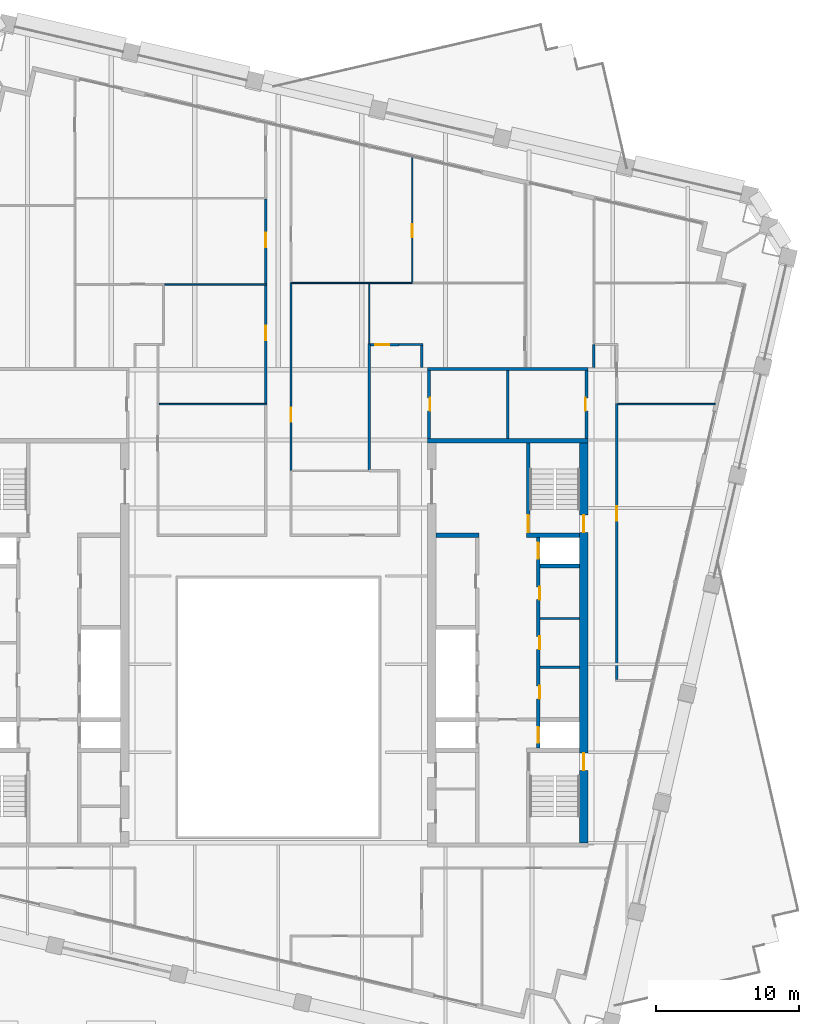
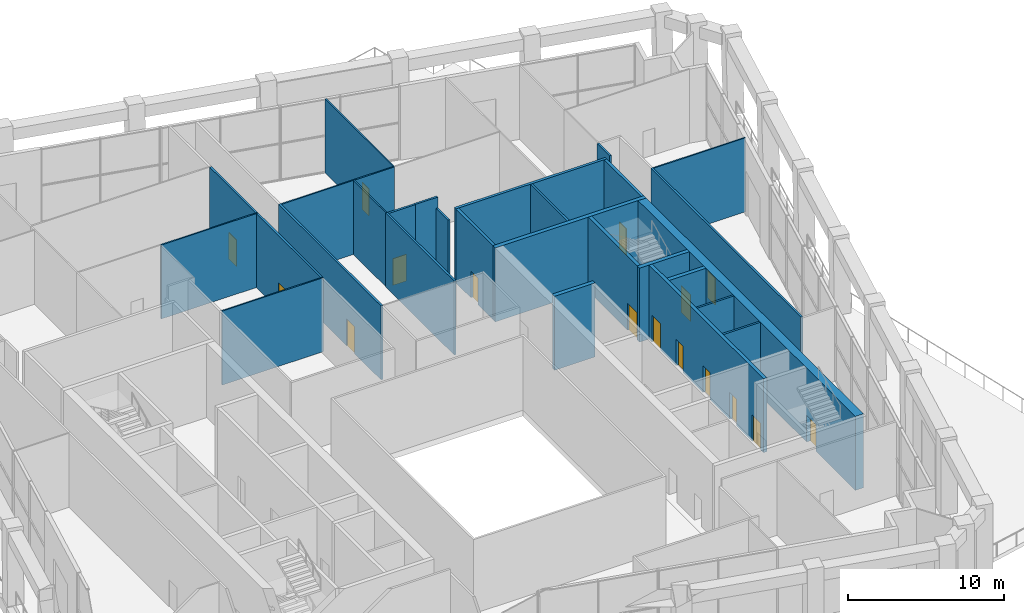
# One storey, part 15 of 21: 29 walls, 16 doors, 16 openings.
"""IFC4 building model written with IfcOpenShell, lengths in metres."""

from ifc_helpers import new_model, si_unit, direction, frame, frame_2d, origin, place, context, subcontext, project, spatial, rectangle, extrude, material, layer, layer_set, type_object, element, fill, save


model = new_model("IFC4")

# Units and contexts
model_context = context("Model", 3, precision=1e-05, world=origin(), true_north=direction((0.0, 1.0)))
body_context = subcontext(model_context, "Body", "Model", "MODEL_VIEW")
ifc_project = project(units=[si_unit("LENGTHUNIT", "METRE"), si_unit("AREAUNIT", "SQUARE_METRE"), si_unit("VOLUMEUNIT", "CUBIC_METRE"), si_unit("PLANEANGLEUNIT", "RADIAN"), si_unit("MASSUNIT", "GRAM", prefix="KILO")], contexts=[model_context])

# Site, building, storey
site_placement = place(None, origin())
site = spatial("IfcSite", under=ifc_project, at=site_placement, CompositionType="ELEMENT")
building_placement = place(site_placement, origin())
building = spatial("IfcBuilding", under=site, at=building_placement, Name="Ogive Exchange Tower", CompositionType="ELEMENT")
storey_placement = place(building_placement, frame((0.0, 0.0, 237.0)))
storey = spatial("IfcBuildingStorey", under=building, at=storey_placement, Name="L51", CompositionType="ELEMENT", Elevation=237.0)

# Walls
ifc_material_1 = material(Name="Gypsum board partition")
ifc_layer_1 = layer(ifc_material_1, 0.14990234375)
ifc_layer_set_1 = layer_set([ifc_layer_1], Name="Core room partition 150 gypsum")
wall_type_1 = type_object("IfcWallType", Name="Core room partition 150 gypsum", PredefinedType="PARTITIONING", material=ifc_layer_set_1)
for number, where, z_axis, x_axis, name in (
    (1, (18.25, 9.800048828125, 0.0), (0.0, 0.0, 1.0), (1.0, 0.0, 0.0), "E row A bay partition 1-1"),
    (2, (18.25, 13.199951171875, 0.0), (0.0, 0.0, 1.0), (1.0, 0.0, 0.0), "E row A bay partition 1-2"),
):
    element("IfcWall", number, at=place(storey_placement, frame(where, z_axis=z_axis, x_axis=x_axis)), inside=storey, type_object=wall_type_1, Name=name, PredefinedType="PARTITIONING", context=body_context, shape_type="SweptSolid", body=[
        extrude(rectangle(XDim=2.75, YDim=0.14990234375, at=frame_2d((1.375, 0.0))), origin(), (0.0, 0.0, 1.0), 5.800048828125),
    ])
wall_1_placement = place(storey_placement, frame((16.0, 25.75, 0.0), z_axis=(0.0, 0.0, 1.0), x_axis=(0.0, 1.0, 0.0)))
element("IfcWall", 3, at=wall_1_placement, inside=storey, type_object=wall_type_1, Name="E annex N column wall", PredefinedType="PARTITIONING", context=body_context, shape_type="SweptSolid", body=[
    extrude(rectangle(XDim=4.75, YDim=0.14990234375, at=frame_2d((2.375, 0.0))), origin(), (0.0, 0.0, 1.0), 5.800048828125),
])
ifc_layer_2 = layer(ifc_material_1, 0.300048828125)
ifc_layer_set_2 = layer_set([ifc_layer_2], Name="Core room partition 300 gypsum")
wall_type_2 = type_object("IfcWallType", Name="Core room partition 300 gypsum", PredefinedType="PARTITIONING", material=ifc_layer_set_2)
wall_2_placement = place(storey_placement, frame((11.0, 19.0, 0.0), z_axis=(0.0, 0.0, 1.0), x_axis=(1.0, 0.0, 0.0)))
element("IfcWall", 4, at=wall_2_placement, inside=storey, type_object=wall_type_2, Name="E row B room end wall 7", PredefinedType="PARTITIONING", context=body_context, shape_type="SweptSolid", body=[
    extrude(rectangle(XDim=3.0, YDim=0.300048828125, at=frame_2d((1.5, 0.0))), origin(), (0.0, 0.0, 1.0), 5.800048828125),
])

# Wall, opening, door
ifc_material_2 = material(Name="Fire partition EI 60 150")
ifc_layer_3 = layer(ifc_material_2, 0.14990234375)
ifc_layer_set_3 = layer_set([ifc_layer_3], Name="Fire partition EI 60 150")
wall_type_3 = type_object("IfcWallType", Name="Fire partition EI 60 150", PredefinedType="PARTITIONING", material=ifc_layer_set_3)
wall_3_placement = place(storey_placement, frame((-0.8798828125, 28.18994140625, 0.0), z_axis=(0.0, 0.0, 1.0), x_axis=(0.0, 1.0, 0.0)))
wall_3 = element("IfcWall", 5, at=wall_3_placement, inside=storey, type_object=wall_type_3, Name="L51-PWL-032", PredefinedType="PARTITIONING", context=body_context, shape_type="SweptSolid", body=[
    extrude(rectangle(XDim=8.260009765625, YDim=0.14990234375, at=frame_2d((4.1298828125, 0.0))), origin(), (0.0, 0.0, 1.0), 5.800048828125),
])
opening_1_placement = place(wall_3_placement, frame((4.409912109375, 0.0, 0.0)))
opening_1 = element("IfcOpeningElement", 6, at=opening_1_placement, cuts=wall_3, Name="Opening L51-I04", PredefinedType="OPENING", context=body_context, shape_type="SweptSolid", body=[
    extrude(rectangle(XDim=1.0, YDim=2.10009765625, at=frame_2d((0.5, 1.050048828125))), frame((0.0, 0.0849609375, 0.0), z_axis=(0.0, -1.0, 0.0), x_axis=(1.0, 0.0, 0.0)), (0.0, 0.0, 1.0), 0.169921875),
])
ifc_material_3 = material(Name="Fire door FD 30S 1000 x 2100")
door_type_1 = type_object("IfcDoorType", Name="Fire door FD 30S 1000 x 2100", OperationType="NOTDEFINED", PredefinedType="DOOR", material=ifc_material_3)
door_1_placement = place(opening_1_placement, origin())
door_1 = element("IfcDoor", 7, at=door_1_placement, inside=storey, type_object=door_type_1, Name="L51-IDR-004", ObjectType="DT3", OperationType="SINGLE_SWING_LEFT", OverallHeight=2.10009765625, OverallWidth=1.0, PredefinedType="DOOR", context=body_context, shape_type="SweptSolid", body=[
    extrude(rectangle(XDim=1.0, YDim=2.10009765625, at=frame_2d((0.5, 1.050048828125))), frame((0.0, 0.02490234375, 0.0), z_axis=(0.0, -1.0, 0.0), x_axis=(1.0, 0.0, 0.0)), (0.0, 0.0, 1.0), 0.050048828125),
])
fill(opening_1, door_1)

wall_4_placement = place(storey_placement, frame((-0.8798828125, 36.550048828125, 0.0), z_axis=(0.0, 0.0, 1.0), x_axis=(0.0, 1.0, 0.0)))
wall_4 = element("IfcWall", 8, at=wall_4_placement, inside=storey, type_object=wall_type_3, Name="L51-PWL-033", PredefinedType="PARTITIONING", context=body_context, shape_type="SweptSolid", body=[
    extrude(rectangle(XDim=5.89990234375, YDim=0.14990234375, at=frame_2d((2.949951171875, 0.0))), origin(), (0.0, 0.0, 1.0), 5.800048828125),
])
opening_2_placement = place(wall_4_placement, frame((2.550048828125, 0.0, 0.0)))
opening_2 = element("IfcOpeningElement", 9, at=opening_2_placement, cuts=wall_4, Name="Opening L51-I05", PredefinedType="OPENING", context=body_context, shape_type="SweptSolid", body=[
    extrude(rectangle(XDim=1.0, YDim=2.10009765625, at=frame_2d((0.5, 1.050048828125))), frame((0.0, 0.0849609375, 0.0), z_axis=(0.0, -1.0, 0.0), x_axis=(1.0, 0.0, 0.0)), (0.0, 0.0, 1.0), 0.169921875),
])
door_2_placement = place(opening_2_placement, origin())
door_2 = element("IfcDoor", 10, at=door_2_placement, inside=storey, type_object=door_type_1, Name="L51-IDR-005", ObjectType="DT3", OperationType="SINGLE_SWING_LEFT", OverallHeight=2.10009765625, OverallWidth=1.0, PredefinedType="DOOR", context=body_context, shape_type="SweptSolid", body=[
    extrude(rectangle(XDim=1.0, YDim=2.10009765625, at=frame_2d((0.5, 1.050048828125))), frame((0.0, 0.02490234375, 0.0), z_axis=(0.0, -1.0, 0.0), x_axis=(1.0, 0.0, 0.0)), (0.0, 0.0, 1.0), 0.050048828125),
])
fill(opening_2, door_2)

wall_5_placement = place(storey_placement, frame((0.8798828125, 36.639892578125, 0.0), z_axis=(0.0, 0.0, 1.0), x_axis=(0.0, -1.0, 0.0)))
wall_5 = element("IfcWall", 11, at=wall_5_placement, inside=storey, type_object=wall_type_3, Name="L51-PWL-039", PredefinedType="PARTITIONING", context=body_context, shape_type="SweptSolid", body=[
    extrude(rectangle(XDim=13.139892578125, YDim=0.14990234375, at=frame_2d((6.56982421875, 0.0))), origin(), (0.0, 0.0, 1.0), 5.800048828125),
])
opening_3_placement = place(wall_5_placement, frame((8.739990234375, 0.0, 0.0)))
opening_3 = element("IfcOpeningElement", 12, at=opening_3_placement, cuts=wall_5, Name="Opening L51-I15", PredefinedType="OPENING", context=body_context, shape_type="SweptSolid", body=[
    extrude(rectangle(XDim=1.0, YDim=2.10009765625, at=frame_2d((0.5, 1.050048828125))), frame((0.0, 0.0849609375, 0.0), z_axis=(0.0, -1.0, 0.0), x_axis=(1.0, 0.0, 0.0)), (0.0, 0.0, 1.0), 0.169921875),
])
door_3_placement = place(opening_3_placement, origin())
door_3 = element("IfcDoor", 13, at=door_3_placement, inside=storey, type_object=door_type_1, Name="L51-IDR-015", ObjectType="DT3", OperationType="SINGLE_SWING_LEFT", OverallHeight=2.10009765625, OverallWidth=1.0, PredefinedType="DOOR", context=body_context, shape_type="SweptSolid", body=[
    extrude(rectangle(XDim=1.0, YDim=2.10009765625, at=frame_2d((0.5, 1.050048828125))), frame((0.0, 0.02490234375, 0.0), z_axis=(0.0, -1.0, 0.0), x_axis=(1.0, 0.0, 0.0)), (0.0, 0.0, 1.0), 0.050048828125),
])
fill(opening_3, door_3)

# Wall
wall_6_placement = place(storey_placement, frame((6.340087890625, 23.550048828125, 0.0), z_axis=(0.0, 0.0, 1.0), x_axis=(0.0, 1.0, 0.0)))
element("IfcWall", 14, at=wall_6_placement, inside=storey, type_object=wall_type_3, Name="L51-PWL-041", PredefinedType="PARTITIONING", context=body_context, shape_type="SweptSolid", body=[
    extrude(rectangle(XDim=8.81494140625, YDim=0.14990234375, at=frame_2d((4.407470703125, 0.0))), origin(), (0.0, 0.0, 1.0), 5.800048828125),
])

# Wall, opening, door
wall_7_placement = place(storey_placement, frame((6.4150390625, 32.2900390625, 0.0), z_axis=(0.0, 0.0, 1.0), x_axis=(1.0, 0.0, 0.0)))
wall_7 = element("IfcWall", 15, at=wall_7_placement, inside=storey, type_object=wall_type_3, Name="L51-PWL-042", PredefinedType="PARTITIONING", context=body_context, shape_type="SweptSolid", body=[
    extrude(rectangle(XDim=1.98486328125, YDim=0.14990234375, at=frame_2d((0.992431640625, 0.0))), origin(), (0.0, 0.0, 1.0), 5.800048828125),
])
opening_4_placement = place(wall_7_placement, frame((0.3349609375, 0.0, 0.0)))
opening_4 = element("IfcOpeningElement", 16, at=opening_4_placement, cuts=wall_7, Name="Opening L51-I16", PredefinedType="OPENING", context=body_context, shape_type="SweptSolid", body=[
    extrude(rectangle(XDim=1.0, YDim=2.10009765625, at=frame_2d((0.5, 1.050048828125))), frame((0.0, 0.0849609375, 0.0), z_axis=(0.0, -1.0, 0.0), x_axis=(1.0, 0.0, 0.0)), (0.0, 0.0, 1.0), 0.169921875),
])
door_4_placement = place(opening_4_placement, origin())
door_4 = element("IfcDoor", 17, at=door_4_placement, inside=storey, type_object=door_type_1, Name="L51-IDR-016", ObjectType="DT3", OperationType="SINGLE_SWING_RIGHT", OverallHeight=2.10009765625, OverallWidth=1.0, PredefinedType="DOOR", context=body_context, shape_type="SweptSolid", body=[
    extrude(rectangle(XDim=1.0, YDim=2.10009765625, at=frame_2d((0.5, 1.050048828125))), frame((0.0, 0.02490234375, 0.0), z_axis=(0.0, -1.0, 0.0), x_axis=(1.0, 0.0, 0.0)), (0.0, 0.0, 1.0), 0.050048828125),
])
fill(opening_4, door_4)

# Walls
wall_8_placement = place(storey_placement, frame((8.39990234375, 32.300048828125, 0.0), z_axis=(0.0, 0.0, 1.0), x_axis=(1.0, 0.0, 0.0)))
element("IfcWall", 18, at=wall_8_placement, inside=storey, type_object=wall_type_3, Name="L51-PWL-047", PredefinedType="PARTITIONING", context=body_context, shape_type="SweptSolid", body=[
    extrude(rectangle(XDim=1.675048828125, YDim=0.14990234375, at=frame_2d((0.83740234375, 0.0))), origin(), (0.0, 0.0, 1.0), 5.800048828125),
])
wall_9_placement = place(storey_placement, frame((10.0, 32.22509765625, 0.0), z_axis=(0.0, 0.0, 1.0), x_axis=(0.0, -1.0, 0.0)))
element("IfcWall", 19, at=wall_9_placement, inside=storey, type_object=wall_type_3, Name="L51-PWL-054", PredefinedType="PARTITIONING", context=body_context, shape_type="SweptSolid", body=[
    extrude(rectangle(XDim=1.525146484375, YDim=0.14990234375, at=frame_2d((0.7626953125, 0.0))), origin(), (0.0, 0.0, 1.0), 4.964111328125),
])
wall_10_placement = place(storey_placement, frame((22.0, 30.699951171875, 0.0), z_axis=(0.0, 0.0, 1.0), x_axis=(0.0, 1.0, 0.0)))
element("IfcWall", 20, at=wall_10_placement, inside=storey, type_object=wall_type_3, Name="L51-PWL-060", PredefinedType="PARTITIONING", context=body_context, shape_type="SweptSolid", body=[
    extrude(rectangle(XDim=1.60009765625, YDim=0.14990234375, at=frame_2d((0.800048828125, 0.0))), origin(), (0.0, 0.0, 1.0), 5.800048828125),
])

# Wall, opening, door
wall_11_placement = place(storey_placement, frame((23.60009765625, 28.18994140625, 0.0), z_axis=(0.0, 0.0, 1.0), x_axis=(0.0, -1.0, 0.0)))
wall_11 = element("IfcWall", 21, at=wall_11_placement, inside=storey, type_object=wall_type_3, Name="L51-PWL-067", PredefinedType="PARTITIONING", context=body_context, shape_type="SweptSolid", body=[
    extrude(rectangle(XDim=19.2548828125, YDim=0.14990234375, at=frame_2d((9.62744140625, 0.0))), origin(), (0.0, 0.0, 1.0), 5.800048828125),
])
opening_5_placement = place(wall_11_placement, frame((7.179931640625, 0.0, 0.0)))
opening_5 = element("IfcOpeningElement", 22, at=opening_5_placement, cuts=wall_11, Name="Opening L51-I18", PredefinedType="OPENING", context=body_context, shape_type="SweptSolid", body=[
    extrude(rectangle(XDim=1.0, YDim=2.10009765625, at=frame_2d((0.5, 1.050048828125))), frame((0.0, 0.0849609375, 0.0), z_axis=(0.0, -1.0, 0.0), x_axis=(1.0, 0.0, 0.0)), (0.0, 0.0, 1.0), 0.169921875),
])
door_5_placement = place(opening_5_placement, origin())
door_5 = element("IfcDoor", 23, at=door_5_placement, inside=storey, type_object=door_type_1, Name="L51-IDR-018", ObjectType="DT3", OperationType="SINGLE_SWING_LEFT", OverallHeight=2.10009765625, OverallWidth=1.0, PredefinedType="DOOR", context=body_context, shape_type="SweptSolid", body=[
    extrude(rectangle(XDim=1.0, YDim=2.10009765625, at=frame_2d((0.5, 1.050048828125))), frame((0.0, 0.02490234375, 0.0), z_axis=(0.0, -1.0, 0.0), x_axis=(1.0, 0.0, 0.0)), (0.0, 0.0, 1.0), 0.050048828125),
])
fill(opening_5, door_5)

# Walls
ifc_material_4 = material(Name="Partition 100 gypsum")
ifc_layer_4 = layer(ifc_material_4, 0.10009765625)
ifc_layer_set_4 = layer_set([ifc_layer_4], Name="Partition 100 gypsum")
wall_type_4 = type_object("IfcWallType", Name="Partition 100 gypsum", PredefinedType="PARTITIONING", material=ifc_layer_set_4)
wall_12_placement = place(storey_placement, frame((-8.31494140625, 28.139892578125, 0.0), z_axis=(0.0, 0.0, 1.0), x_axis=(1.0, 0.0, 0.0)))
element("IfcWall", 24, at=wall_12_placement, inside=storey, type_object=wall_type_4, Name="L51-PWL-026", PredefinedType="PARTITIONING", context=body_context, shape_type="SweptSolid", body=[
    extrude(rectangle(XDim=7.510009765625, YDim=0.10009765625, at=frame_2d((3.7548828125, 0.0))), origin(), (0.0, 0.0, 1.0), 5.800048828125),
])
wall_13_placement = place(storey_placement, frame((-8.0, 36.5, 0.0), z_axis=(0.0, 0.0, 1.0), x_axis=(1.0, 0.0, 0.0)))
element("IfcWall", 25, at=wall_13_placement, inside=storey, type_object=wall_type_4, Name="L51-PWL-030", PredefinedType="PARTITIONING", context=body_context, shape_type="SweptSolid", body=[
    extrude(rectangle(XDim=7.195068359375, YDim=0.10009765625, at=frame_2d((3.59765625, 0.0))), origin(), (0.0, 0.0, 1.0), 5.800048828125),
])
wall_14_placement = place(storey_placement, frame((6.389892578125, 36.590087890625, 0.0), z_axis=(0.0, 0.0, 1.0), x_axis=(-1.0, 0.0, 0.0)))
element("IfcWall", 26, at=wall_14_placement, inside=storey, type_object=wall_type_4, Name="L51-PWL-043", PredefinedType="PARTITIONING", context=body_context, shape_type="SweptSolid", body=[
    extrude(rectangle(XDim=5.434814453125, YDim=0.10009765625, at=frame_2d((2.71728515625, 0.0))), origin(), (0.0, 0.0, 1.0), 5.800048828125),
])
wall_15_placement = place(storey_placement, frame((6.340087890625, 36.5400390625, 0.0), z_axis=(0.0, 0.0, 1.0), x_axis=(0.0, -1.0, 0.0)))
element("IfcWall", 27, at=wall_15_placement, inside=storey, type_object=wall_type_4, Name="L51-PWL-044", PredefinedType="PARTITIONING", context=body_context, shape_type="SweptSolid", body=[
    extrude(rectangle(XDim=4.175048828125, YDim=0.10009765625, at=frame_2d((2.08740234375, 0.0))), origin(), (0.0, 0.0, 1.0), 5.800048828125),
])
wall_16_placement = place(storey_placement, frame((9.340087890625, 36.590087890625, 0.0), z_axis=(0.0, 0.0, 1.0), x_axis=(-1.0, 0.0, 0.0)))
element("IfcWall", 28, at=wall_16_placement, inside=storey, type_object=wall_type_4, Name="L51-PWL-050", PredefinedType="PARTITIONING", context=body_context, shape_type="SweptSolid", body=[
    extrude(rectangle(XDim=3.0, YDim=0.10009765625, at=frame_2d((1.5, 0.0))), origin(), (0.0, 0.0, 1.0), 5.800048828125),
])

# Wall, opening, door
wall_17_placement = place(storey_placement, frame((9.340087890625, 36.639892578125, 0.0), z_axis=(0.0, 0.0, 1.0), x_axis=(0.0, 1.0, 0.0)))
wall_17 = element("IfcWall", 29, at=wall_17_placement, inside=storey, type_object=wall_type_4, Name="L51-PWL-051", PredefinedType="PARTITIONING", context=body_context, shape_type="SweptSolid", body=[
    extrude(rectangle(XDim=8.72802734375, YDim=0.10009765625, at=frame_2d((4.364013671875, 0.0))), origin(), (0.0, 0.0, 1.0), 5.800048828125),
])
opening_6_placement = place(wall_17_placement, frame((3.14990234375, 0.0, 0.0)))
opening_6 = element("IfcOpeningElement", 30, at=opening_6_placement, cuts=wall_17, Name="Opening L51-I12", PredefinedType="OPENING", context=body_context, shape_type="SweptSolid", body=[
    extrude(rectangle(XDim=0.89990234375, YDim=2.10009765625, at=frame_2d((0.449951171875, 1.050048828125))), frame((0.0, 0.06005859375, 0.0), z_axis=(0.0, -1.0, 0.0), x_axis=(1.0, 0.0, 0.0)), (0.0, 0.0, 1.0), 0.1201171875),
])
ifc_material_5 = material(Name="Door 900 x 2100")
door_type_2 = type_object("IfcDoorType", Name="Door 900 x 2100", OperationType="NOTDEFINED", PredefinedType="DOOR", material=ifc_material_5)
door_6_placement = place(opening_6_placement, frame((0.89990234375, 0.0, 0.0), z_axis=(0.0, 0.0, 1.0), x_axis=(-1.0, 0.0, 0.0)))
door_6 = element("IfcDoor", 31, at=door_6_placement, inside=storey, type_object=door_type_2, Name="L51-IDR-012", ObjectType="DT1", OperationType="SINGLE_SWING_LEFT", OverallHeight=2.10009765625, OverallWidth=0.89990234375, PredefinedType="DOOR", context=body_context, shape_type="SweptSolid", body=[
    extrude(rectangle(XDim=0.89990234375, YDim=2.10009765625, at=frame_2d((0.449951171875, 1.050048828125))), frame((0.0, 0.02490234375, 0.0), z_axis=(0.0, -1.0, 0.0), x_axis=(1.0, 0.0, 0.0)), (0.0, 0.0, 1.0), 0.050048828125),
])
fill(opening_6, door_6)

# Wall
wall_18_placement = place(storey_placement, frame((23.675048828125, 28.139892578125, 0.0), z_axis=(0.0, 0.0, 1.0), x_axis=(1.0, 0.0, 0.0)))
element("IfcWall", 32, at=wall_18_placement, inside=storey, type_object=wall_type_4, Name="L51-PWL-068", PredefinedType="PARTITIONING", context=body_context, shape_type="SweptSolid", body=[
    extrude(rectangle(XDim=6.804931640625, YDim=0.10009765625, at=frame_2d((3.40234375, 0.0))), origin(), (0.0, 0.0, 1.0), 5.800048828125),
])

# Wall, opening, door
ifc_material_6 = material(Name="Concrete C70/85", Category="concrete")
ifc_layer_5 = layer(ifc_material_6, 0.199951171875)
ifc_layer_set_5 = layer_set([ifc_layer_5], Name="RC core wall 200 C70/85")
wall_type_5 = type_object("IfcWallType", Name="RC core wall 200 C70/85", PredefinedType="SHEAR", material=ifc_layer_set_5)
wall_19_placement = place(storey_placement, frame((21.5, 25.75, 0.0), z_axis=(0.0, 0.0, 1.0), x_axis=(0.0, 1.0, 0.0)))
wall_19 = element("IfcWall", 33, at=wall_19_placement, inside=storey, type_object=wall_type_5, Name="E annex N outer wall", PredefinedType="SHEAR", context=body_context, shape_type="SweptSolid", body=[
    extrude(rectangle(XDim=4.75, YDim=0.199951171875, at=frame_2d((2.375, 0.0))), origin(), (0.0, 0.0, 1.0), 5.800048828125),
])
opening_7_placement = place(wall_19_placement, frame((1.925048828125, 0.0, 0.0)))
opening_7 = element("IfcOpeningElement", 34, at=opening_7_placement, cuts=wall_19, Name="Opening L51-C37", PredefinedType="OPENING", context=body_context, shape_type="SweptSolid", body=[
    extrude(rectangle(XDim=0.89990234375, YDim=2.10009765625, at=frame_2d((0.449951171875, 1.050048828125))), frame((0.0, 0.10986328125, 0.0), z_axis=(0.0, -1.0, 0.0), x_axis=(1.0, 0.0, 0.0)), (0.0, 0.0, 1.0), 0.219970703125),
])
ifc_material_7 = material(Name="Timber fire door", Category="wood")
door_type_3 = type_object("IfcDoorType", Name="Core room door FD30S 900 x 2100", OperationType="NOTDEFINED", PredefinedType="DOOR", material=ifc_material_7)
door_7_placement = place(opening_7_placement, frame((0.89990234375, 0.14990234375, 0.0), z_axis=(0.0, 0.0, 1.0), x_axis=(-1.0, 0.0, 0.0)))
door_7 = element("IfcDoor", 35, at=door_7_placement, inside=storey, type_object=door_type_3, Name="Core room door", ObjectType="CD6", OperationType="SINGLE_SWING_LEFT", OverallHeight=2.10009765625, OverallWidth=0.89990234375, PredefinedType="DOOR", context=body_context, shape_type="SweptSolid", body=[
    extrude(rectangle(XDim=0.89990234375, YDim=2.10009765625, at=frame_2d((0.449951171875, 1.050048828125))), frame((0.0, 0.10009765625, 0.0), z_axis=(0.0, -1.0, 0.0), x_axis=(1.0, 0.0, 0.0)), (0.0, 0.0, 1.0), 0.050048828125),
])
fill(opening_7, door_7)

wall_20_placement = place(storey_placement, frame((10.5, 25.75, 0.0), z_axis=(0.0, 0.0, 1.0), x_axis=(0.0, 1.0, 0.0)))
wall_20 = element("IfcWall", 36, at=wall_20_placement, inside=storey, type_object=wall_type_5, Name="E annex N inner wall", PredefinedType="SHEAR", context=body_context, shape_type="SweptSolid", body=[
    extrude(rectangle(XDim=4.75, YDim=0.199951171875, at=frame_2d((2.375, 0.0))), origin(), (0.0, 0.0, 1.0), 5.800048828125),
])
opening_8_placement = place(wall_20_placement, frame((1.925048828125, 0.0, 0.0)))
opening_8 = element("IfcOpeningElement", 37, at=opening_8_placement, cuts=wall_20, Name="Opening L51-C38", PredefinedType="OPENING", context=body_context, shape_type="SweptSolid", body=[
    extrude(rectangle(XDim=0.89990234375, YDim=2.10009765625, at=frame_2d((0.449951171875, 1.050048828125))), frame((0.0, 0.10986328125, 0.0), z_axis=(0.0, -1.0, 0.0), x_axis=(1.0, 0.0, 0.0)), (0.0, 0.0, 1.0), 0.219970703125),
])
ifc_material_8 = material(Name="Steel fire door", Category="steel")
door_type_4 = type_object("IfcDoorType", Name="Riser door FD60 900 x 2100", OperationType="NOTDEFINED", PredefinedType="DOOR", material=ifc_material_8)
door_8_placement = place(opening_8_placement, origin())
door_8 = element("IfcDoor", 38, at=door_8_placement, inside=storey, type_object=door_type_4, Name="Riser door", ObjectType="CD2", OperationType="SINGLE_SWING_LEFT", OverallHeight=2.10009765625, OverallWidth=0.89990234375, PredefinedType="DOOR", context=body_context, shape_type="SweptSolid", body=[
    extrude(rectangle(XDim=0.89990234375, YDim=2.10009765625, at=frame_2d((0.449951171875, 1.050048828125))), frame((0.0, -0.0498046875, 0.0), z_axis=(0.0, -1.0, 0.0), x_axis=(1.0, 0.0, 0.0)), (0.0, 0.0, 1.0), 0.050048828125),
])
fill(opening_8, door_8)

# Wall
wall_21_placement = place(storey_placement, frame((10.39990234375, 30.60009765625, 0.0), z_axis=(0.0, 0.0, 1.0), x_axis=(1.0, 0.0, 0.0)))
element("IfcWall", 39, at=wall_21_placement, inside=storey, type_object=wall_type_5, Name="E annex N end wall", PredefinedType="SHEAR", context=body_context, shape_type="SweptSolid", body=[
    extrude(rectangle(XDim=11.2001953125, YDim=0.199951171875, at=frame_2d((5.60009765625, 0.0))), origin(), (0.0, 0.0, 1.0), 5.800048828125),
])

# Wall, opening, door
ifc_layer_6 = layer(ifc_material_6, 0.25)
ifc_layer_set_6 = layer_set([ifc_layer_6], Name="RC core wall 250 C70/85")
wall_type_6 = type_object("IfcWallType", Name="RC core wall 250 C70/85", PredefinedType="SHEAR", material=ifc_layer_set_6)
wall_22_placement = place(storey_placement, frame((17.425048828125, 19.14990234375, 0.0), z_axis=(0.0, 0.0, 1.0), x_axis=(0.0, 1.0, 0.0)))
wall_22 = element("IfcWall", 40, at=wall_22_placement, inside=storey, type_object=wall_type_6, Name="E stair N front wall", PredefinedType="SHEAR", context=body_context, shape_type="SweptSolid", body=[
    extrude(rectangle(XDim=6.300048828125, YDim=0.25, at=frame_2d((3.14990234375, 0.0))), origin(), (0.0, 0.0, 1.0), 5.800048828125),
])
opening_9_placement = place(wall_22_placement, frame((0.050048828125, 0.0, 0.0)))
opening_9 = element("IfcOpeningElement", 41, at=opening_9_placement, cuts=wall_22, Name="Opening L51-C33", PredefinedType="OPENING", context=body_context, shape_type="SweptSolid", body=[
    extrude(rectangle(XDim=1.199951171875, YDim=2.10009765625, at=frame_2d((0.60009765625, 1.050048828125))), frame((0.0, 0.135009765625, 0.0), z_axis=(0.0, -1.0, 0.0), x_axis=(1.0, 0.0, 0.0)), (0.0, 0.0, 1.0), 0.27001953125),
])
door_type_5 = type_object("IfcDoorType", Name="Stair door FD90 1200 x 2100", OperationType="NOTDEFINED", PredefinedType="DOOR", material=ifc_material_8)
door_9_placement = place(opening_9_placement, frame((1.199951171875, 0.0, 0.0), z_axis=(0.0, 0.0, 1.0), x_axis=(-1.0, 0.0, 0.0)))
door_9 = element("IfcDoor", 42, at=door_9_placement, inside=storey, type_object=door_type_5, Name="Stair door", ObjectType="CD5", OperationType="SINGLE_SWING_LEFT", OverallHeight=2.10009765625, OverallWidth=1.199951171875, PredefinedType="DOOR", context=body_context, shape_type="SweptSolid", body=[
    extrude(rectangle(XDim=1.199951171875, YDim=2.10009765625, at=frame_2d((0.60009765625, 1.050048828125))), frame((0.0, 0.02490234375, 0.0), z_axis=(0.0, -1.0, 0.0), x_axis=(1.0, 0.0, 0.0)), (0.0, 0.0, 1.0), 0.050048828125),
])
fill(opening_9, door_9)

# Wall, openings, doors
wall_23_placement = place(storey_placement, frame((18.125, 4.14990234375, 0.0), z_axis=(0.0, 0.0, 1.0), x_axis=(0.0, 1.0, 0.0)))
wall_23 = element("IfcWall", 43, at=wall_23_placement, inside=storey, type_object=wall_type_6, Name="E row A front wall", PredefinedType="SHEAR", context=body_context, shape_type="SweptSolid", body=[
    extrude(rectangle(XDim=14.7001953125, YDim=0.25, at=frame_2d((7.35009765625, 0.0))), origin(), (0.0, 0.0, 1.0), 5.800048828125),
])
opening_10_placement = place(wall_23_placement, frame((3.4462890625, 0.0, 0.0)))
opening_10 = element("IfcOpeningElement", 44, at=opening_10_placement, cuts=wall_23, Name="Opening L51-C19", PredefinedType="OPENING", context=body_context, shape_type="SweptSolid", body=[
    extrude(rectangle(XDim=0.89990234375, YDim=2.10009765625, at=frame_2d((0.449951171875, 1.050048828125))), frame((0.0, 0.135009765625, 0.0), z_axis=(0.0, -1.0, 0.0), x_axis=(1.0, 0.0, 0.0)), (0.0, 0.0, 1.0), 0.27001953125),
])
opening_11_placement = place(wall_23_placement, frame((6.89990234375, 0.0, 0.0)))
opening_11 = element("IfcOpeningElement", 45, at=opening_11_placement, cuts=wall_23, Name="Opening L51-C20", PredefinedType="OPENING", context=body_context, shape_type="SweptSolid", body=[
    extrude(rectangle(XDim=0.89990234375, YDim=2.10009765625, at=frame_2d((0.449951171875, 1.050048828125))), frame((0.0, 0.135009765625, 0.0), z_axis=(0.0, -1.0, 0.0), x_axis=(1.0, 0.0, 0.0)), (0.0, 0.0, 1.0), 0.27001953125),
])
opening_12_placement = place(wall_23_placement, frame((10.353515625, 0.0, 0.0)))
opening_12 = element("IfcOpeningElement", 46, at=opening_12_placement, cuts=wall_23, Name="Opening L51-C21", PredefinedType="OPENING", context=body_context, shape_type="SweptSolid", body=[
    extrude(rectangle(XDim=0.89990234375, YDim=2.10009765625, at=frame_2d((0.449951171875, 1.050048828125))), frame((0.0, 0.135009765625, 0.0), z_axis=(0.0, -1.0, 0.0), x_axis=(1.0, 0.0, 0.0)), (0.0, 0.0, 1.0), 0.27001953125),
])
opening_13_placement = place(wall_23_placement, frame((0.371337890625, 0.0, 0.0)))
opening_13 = element("IfcOpeningElement", 47, at=opening_13_placement, cuts=wall_23, Name="Opening L51-C22", PredefinedType="OPENING", context=body_context, shape_type="SweptSolid", body=[
    extrude(rectangle(XDim=1.10009765625, YDim=2.10009765625, at=frame_2d((0.550048828125, 1.050048828125))), frame((0.0, 0.135009765625, 0.0), z_axis=(0.0, -1.0, 0.0), x_axis=(1.0, 0.0, 0.0)), (0.0, 0.0, 1.0), 0.27001953125),
])
opening_14_placement = place(wall_23_placement, frame((13.228515625, 0.0, 0.0)))
opening_14 = element("IfcOpeningElement", 48, at=opening_14_placement, cuts=wall_23, Name="Opening L51-C23", PredefinedType="OPENING", context=body_context, shape_type="SweptSolid", body=[
    extrude(rectangle(XDim=1.10009765625, YDim=2.10009765625, at=frame_2d((0.550048828125, 1.050048828125))), frame((0.0, 0.135009765625, 0.0), z_axis=(0.0, -1.0, 0.0), x_axis=(1.0, 0.0, 0.0)), (0.0, 0.0, 1.0), 0.27001953125),
])
ifc_material_9 = material(Name="Stainless steel", Category="steel")
door_type_6 = type_object("IfcDoorType", Name="Lift landing door FD90 1100 x 2100", OperationType="SLIDING_TO_LEFT", PredefinedType="DOOR", material=ifc_material_9)
door_10_placement = place(opening_13_placement, origin())
door_10 = element("IfcDoor", 49, at=door_10_placement, inside=storey, type_object=door_type_6, Name="Lift landing door FF2", ObjectType="LD", OperationType="SLIDING_TO_LEFT", OverallHeight=2.10009765625, OverallWidth=1.10009765625, PredefinedType="DOOR", context=body_context, shape_type="SweptSolid", body=[
    extrude(rectangle(XDim=1.10009765625, YDim=2.10009765625, at=frame_2d((0.550048828125, 1.050048828125))), frame((0.0, 0.02490234375, 0.0), z_axis=(0.0, -1.0, 0.0), x_axis=(1.0, 0.0, 0.0)), (0.0, 0.0, 1.0), 0.050048828125),
])
fill(opening_13, door_10)
door_11_placement = place(opening_14_placement, origin())
door_11 = element("IfcDoor", 50, at=door_11_placement, inside=storey, type_object=door_type_6, Name="Lift landing door E-SH2", ObjectType="LD", OperationType="SLIDING_TO_LEFT", OverallHeight=2.10009765625, OverallWidth=1.10009765625, PredefinedType="DOOR", context=body_context, shape_type="SweptSolid", body=[
    extrude(rectangle(XDim=1.10009765625, YDim=2.10009765625, at=frame_2d((0.550048828125, 1.050048828125))), frame((0.0, 0.02490234375, 0.0), z_axis=(0.0, -1.0, 0.0), x_axis=(1.0, 0.0, 0.0)), (0.0, 0.0, 1.0), 0.050048828125),
])
fill(opening_14, door_11)
door_12_placement = place(opening_10_placement, frame((0.89990234375, -0.2001953125, 0.0), z_axis=(0.0, 0.0, 1.0), x_axis=(-1.0, 0.0, 0.0)))
door_12 = element("IfcDoor", 51, at=door_12_placement, inside=storey, type_object=door_type_4, Name="Riser door", ObjectType="CD2", OperationType="SINGLE_SWING_RIGHT", OverallHeight=2.10009765625, OverallWidth=0.89990234375, PredefinedType="DOOR", context=body_context, shape_type="SweptSolid", body=[
    extrude(rectangle(XDim=0.89990234375, YDim=2.10009765625, at=frame_2d((0.449951171875, 1.050048828125))), frame((0.0, -0.0751953125, 0.0), z_axis=(0.0, -1.0, 0.0), x_axis=(1.0, 0.0, 0.0)), (0.0, 0.0, 1.0), 0.050048828125),
])
fill(opening_10, door_12)
door_13_placement = place(opening_11_placement, frame((0.89990234375, -0.2001953125, 0.0), z_axis=(0.0, 0.0, 1.0), x_axis=(-1.0, 0.0, 0.0)))
door_13 = element("IfcDoor", 52, at=door_13_placement, inside=storey, type_object=door_type_4, Name="Riser door", ObjectType="CD2", OperationType="SINGLE_SWING_LEFT", OverallHeight=2.10009765625, OverallWidth=0.89990234375, PredefinedType="DOOR", context=body_context, shape_type="SweptSolid", body=[
    extrude(rectangle(XDim=0.89990234375, YDim=2.10009765625, at=frame_2d((0.449951171875, 1.050048828125))), frame((0.0, -0.0751953125, 0.0), z_axis=(0.0, -1.0, 0.0), x_axis=(1.0, 0.0, 0.0)), (0.0, 0.0, 1.0), 0.050048828125),
])
fill(opening_11, door_13)
door_14_placement = place(opening_12_placement, frame((0.89990234375, -0.2001953125, 0.0), z_axis=(0.0, 0.0, 1.0), x_axis=(-1.0, 0.0, 0.0)))
door_14 = element("IfcDoor", 53, at=door_14_placement, inside=storey, type_object=door_type_4, Name="Riser door", ObjectType="CD2", OperationType="SINGLE_SWING_LEFT", OverallHeight=2.10009765625, OverallWidth=0.89990234375, PredefinedType="DOOR", context=body_context, shape_type="SweptSolid", body=[
    extrude(rectangle(XDim=0.89990234375, YDim=2.10009765625, at=frame_2d((0.449951171875, 1.050048828125))), frame((0.0, -0.0751953125, 0.0), z_axis=(0.0, -1.0, 0.0), x_axis=(1.0, 0.0, 0.0)), (0.0, 0.0, 1.0), 0.050048828125),
])
fill(opening_12, door_14)

# Walls
ifc_layer_7 = layer(ifc_material_6, 0.300048828125)
ifc_layer_set_7 = layer_set([ifc_layer_7], Name="RC core wall 300 C70/85")
wall_type_7 = type_object("IfcWallType", Name="RC core wall 300 C70/85", PredefinedType="SHEAR", material=ifc_layer_set_7)
wall_24_placement = place(storey_placement, frame((10.39990234375, 25.60009765625, 0.0), z_axis=(0.0, 0.0, 1.0), x_axis=(1.0, 0.0, 0.0)))
element("IfcWall", 54, at=wall_24_placement, inside=storey, type_object=wall_type_7, Name="E north end wall", PredefinedType="SHEAR", context=body_context, shape_type="SweptSolid", body=[
    extrude(rectangle(XDim=11.2001953125, YDim=0.300048828125, at=frame_2d((5.60009765625, 0.0))), origin(), (0.0, 0.0, 1.0), 5.800048828125),
])
wall_25_placement = place(storey_placement, frame((17.300048828125, 19.0, 0.0), z_axis=(0.0, 0.0, 1.0), x_axis=(1.0, 0.0, 0.0)))
element("IfcWall", 55, at=wall_25_placement, inside=storey, type_object=wall_type_7, Name="E stair N south wall", PredefinedType="SHEAR", context=body_context, shape_type="SweptSolid", body=[
    extrude(rectangle(XDim=3.699951171875, YDim=0.300048828125, at=frame_2d((1.85009765625, 0.0))), origin(), (0.0, 0.0, 1.0), 5.800048828125),
])
wall_26_placement = place(storey_placement, frame((18.25, 16.857177734375, 0.0), z_axis=(0.0, 0.0, 1.0), x_axis=(1.0, 0.0, 0.0)))
element("IfcWall", 56, at=wall_26_placement, inside=storey, type_object=wall_type_7, Name="E row A divider 6", PredefinedType="SHEAR", context=body_context, shape_type="SweptSolid", body=[
    extrude(rectangle(XDim=2.75, YDim=0.300048828125, at=frame_2d((1.375, 0.0))), origin(), (0.0, 0.0, 1.0), 5.800048828125),
])

# Wall, openings, doors
ifc_layer_8 = layer(ifc_material_6, 0.60009765625)
ifc_layer_set_8 = layer_set([ifc_layer_8], Name="RC core wall 600 C70/85")
wall_type_8 = type_object("IfcWallType", Name="RC core wall 600 C70/85", PredefinedType="SHEAR", material=ifc_layer_set_8)
wall_27_placement = place(storey_placement, frame((21.300048828125, -2.449951171875, 0.0), z_axis=(0.0, 0.0, 1.0), x_axis=(0.0, 1.0, 0.0)))
wall_27 = element("IfcWall", 57, at=wall_27_placement, inside=storey, type_object=wall_type_8, Name="E outer wall", PredefinedType="SHEAR", context=body_context, shape_type="SweptSolid", body=[
    extrude(rectangle(XDim=27.89990234375, YDim=0.60009765625, at=frame_2d((13.949951171875, 0.0))), origin(), (0.0, 0.0, 1.0), 5.800048828125),
])
opening_15_placement = place(wall_27_placement, frame((5.050048828125, 0.0, 0.0)))
opening_15 = element("IfcOpeningElement", 58, at=opening_15_placement, cuts=wall_27, Name="Opening L51-C32", PredefinedType="OPENING", context=body_context, shape_type="SweptSolid", body=[
    extrude(rectangle(XDim=1.199951171875, YDim=2.10009765625, at=frame_2d((0.60009765625, 1.050048828125))), frame((0.0, 0.31005859375, 0.0), z_axis=(0.0, -1.0, 0.0), x_axis=(1.0, 0.0, 0.0)), (0.0, 0.0, 1.0), 0.6201171875),
])
opening_16_placement = place(wall_27_placement, frame((21.64990234375, 0.0, 0.0)))
opening_16 = element("IfcOpeningElement", 59, at=opening_16_placement, cuts=wall_27, Name="Opening L51-C34", PredefinedType="OPENING", context=body_context, shape_type="SweptSolid", body=[
    extrude(rectangle(XDim=1.199951171875, YDim=2.10009765625, at=frame_2d((0.60009765625, 1.050048828125))), frame((0.0, 0.31005859375, 0.0), z_axis=(0.0, -1.0, 0.0), x_axis=(1.0, 0.0, 0.0)), (0.0, 0.0, 1.0), 0.6201171875),
])
door_15_placement = place(opening_15_placement, frame((1.199951171875, 0.0, 0.0), z_axis=(0.0, 0.0, 1.0), x_axis=(-1.0, 0.0, 0.0)))
door_15 = element("IfcDoor", 60, at=door_15_placement, inside=storey, type_object=door_type_5, Name="Stair door", ObjectType="CD5", OperationType="SINGLE_SWING_RIGHT", OverallHeight=2.10009765625, OverallWidth=1.199951171875, PredefinedType="DOOR", context=body_context, shape_type="SweptSolid", body=[
    extrude(rectangle(XDim=1.199951171875, YDim=2.10009765625, at=frame_2d((0.60009765625, 1.050048828125))), frame((0.0, 0.02490234375, 0.0), z_axis=(0.0, -1.0, 0.0), x_axis=(1.0, 0.0, 0.0)), (0.0, 0.0, 1.0), 0.050048828125),
])
fill(opening_15, door_15)
door_16_placement = place(opening_16_placement, frame((1.199951171875, 0.0, 0.0), z_axis=(0.0, 0.0, 1.0), x_axis=(-1.0, 0.0, 0.0)))
door_16 = element("IfcDoor", 61, at=door_16_placement, inside=storey, type_object=door_type_5, Name="Stair door", ObjectType="CD5", OperationType="SINGLE_SWING_LEFT", OverallHeight=2.10009765625, OverallWidth=1.199951171875, PredefinedType="DOOR", context=body_context, shape_type="SweptSolid", body=[
    extrude(rectangle(XDim=1.199951171875, YDim=2.10009765625, at=frame_2d((0.60009765625, 1.050048828125))), frame((0.0, 0.02490234375, 0.0), z_axis=(0.0, -1.0, 0.0), x_axis=(1.0, 0.0, 0.0)), (0.0, 0.0, 1.0), 0.050048828125),
])
fill(opening_16, door_16)

save(model, "model.ifc")
